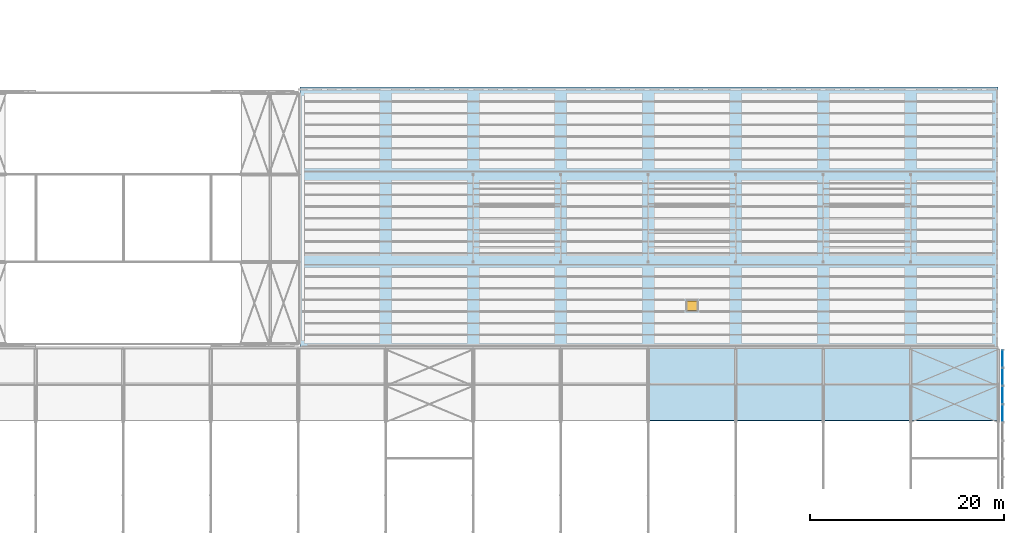
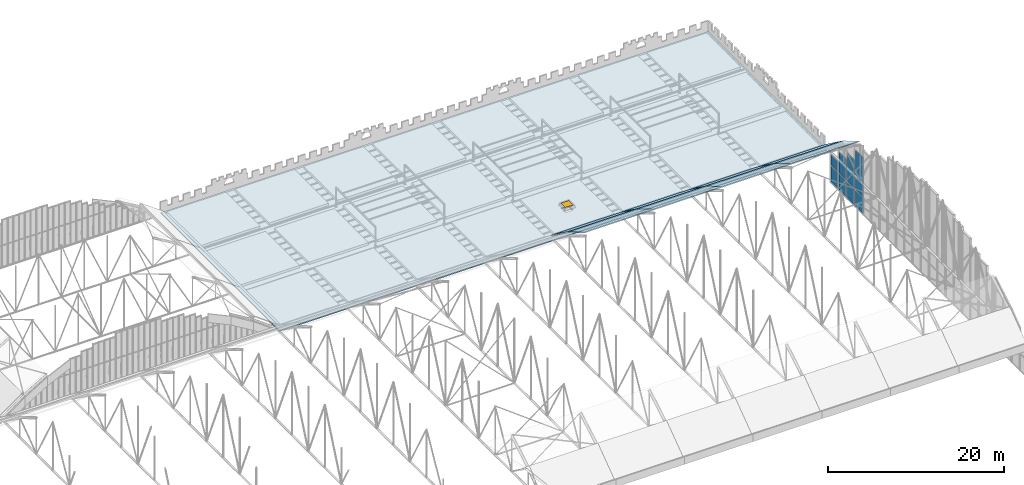
# One storey, part 101 of 153: 9 slabs, 8 plates, 1 window, 1 opening, 4 elements without a shape of their own.
"""IFC4 building model written with IfcOpenShell, lengths in metres."""

import ifcopenshell
import ifcopenshell.guid

model = None  # the IFC model being written
_history = None  # IfcOwnerHistory: only IFC2X3 demands one
_inside = {}  # id of a spatial element -> (the spatial element, [elements in it])
_under = {}  # id of a project, library or spatial element -> (it, [spatial elements below it])
_declared = {}  # id of a project -> (the project, [libraries it declares])
_typed = {}  # id of a type object -> (the type object, [elements of that type])
_made_of = {}  # id of a material, layer set ... -> (it, [elements and type objects made of it])


def new_model(schema):
    """Start an empty IFC model of exactly this schema.

    Asked for "IFC4X3", IfcOpenShell would pick the latest addendum, in which some entities
    have other attributes; the version numbers below select the first issue.
    IFC2X3 requires an IfcOwnerHistory on every rooted entity: one is made here for all.
    """
    global model, _history
    if schema == "IFC4X3":
        model = ifcopenshell.file(schema_version=(4, 3, 0, 0))
    else:
        model = ifcopenshell.file(schema=schema)
    _inside.clear()
    _under.clear()
    _declared.clear()
    _typed.clear()
    _made_of.clear()
    _history = None
    if model.schema == "IFC2X3":
        org = make("IfcOrganization", Name="unknown")
        user = make(
            "IfcPersonAndOrganization",
            ThePerson=make("IfcPerson", FamilyName="unknown"),
            TheOrganization=org,
        )
        app = make(
            "IfcApplication",
            ApplicationDeveloper=org,
            Version="unknown",
            ApplicationFullName="unknown",
            ApplicationIdentifier="unknown",
        )
        _history = make(
            "IfcOwnerHistory",
            OwningUser=user,
            OwningApplication=app,
            ChangeAction="ADDED",
            CreationDate=0,
        )
    return model


def make(cls, **values):
    """One entity of the class cls with the attributes given. An attribute that is None is left unset."""
    return model.create_entity(
        cls, **{name: value for name, value in values.items() if value is not None}
    )


def rooted(cls, **values):
    """An entity with a GlobalId (a new one), such as an element, a storey or a relation."""
    return make(cls, GlobalId=ifcopenshell.guid.new(), OwnerHistory=_history, **values)


def si_unit(unit_type, name, prefix=None):
    """IfcSIUnit, for example si_unit("LENGTHUNIT", "METRE", prefix="MILLI")."""
    return make("IfcSIUnit", UnitType=unit_type, Prefix=prefix, Name=name)


def assignment(units):
    """IfcUnitAssignment: the units of a project."""
    return None if units is None else make("IfcUnitAssignment", Units=units)


def point(xyz):
    """IfcCartesianPoint."""
    return None if xyz is None else make("IfcCartesianPoint", Coordinates=xyz)


def direction(xyz):
    """IfcDirection."""
    return None if xyz is None else make("IfcDirection", DirectionRatios=xyz)


def frame(location, z_axis=None, x_axis=None):
    """IfcAxis2Placement3D, a coordinate frame: its origin and axes. An axis left out is left unset."""
    return make(
        "IfcAxis2Placement3D",
        Location=point(location),
        Axis=direction(z_axis),
        RefDirection=direction(x_axis),
    )


def frame_2d(location, x_axis=None):
    """IfcAxis2Placement2D, a coordinate frame in the plane: its origin and x axis."""
    return make(
        "IfcAxis2Placement2D", Location=point(location), RefDirection=direction(x_axis)
    )


def origin():
    """The frame at (0, 0, 0) with its axes left unset."""
    return frame((0.0, 0.0, 0.0))


def origin_2d():
    """The frame at (0, 0) in the plane with its x axis left unset."""
    return frame_2d((0.0, 0.0))


def place(relative_to, where):
    """IfcLocalPlacement: puts the frame where relative to a parent placement (None: the world)."""
    return make(
        "IfcLocalPlacement", PlacementRelTo=relative_to, RelativePlacement=where
    )


def context(
    kind, dimensions, precision=None, world=None, true_north=None, identifier=None
):
    """IfcGeometricRepresentationContext, for example the 3D "Model" context."""
    return make(
        "IfcGeometricRepresentationContext",
        ContextIdentifier=identifier,
        ContextType=kind,
        CoordinateSpaceDimension=dimensions,
        Precision=precision,
        WorldCoordinateSystem=world,
        TrueNorth=true_north,
    )


def subcontext(parent, identifier, kind, view, scale=None):
    """IfcGeometricRepresentationSubContext, for example "Body" below "Model"."""
    return make(
        "IfcGeometricRepresentationSubContext",
        ContextIdentifier=identifier,
        ContextType=kind,
        ParentContext=parent,
        TargetScale=scale,
        TargetView=view,
    )


def project(units=None, contexts=None):
    """IfcProject with its units and contexts."""
    return rooted(
        "IfcProject",
        Name="project",
        RepresentationContexts=contexts,
        UnitsInContext=assignment(units),
    )


def spatial(cls, under=None, at=None, **own):
    """A site, building, storey or space (cls), placed at a placement, below another one or the project."""
    s = rooted(cls, ObjectPlacement=at, **own)
    if under is not None:
        _under.setdefault(under.id(), (under, []))[1].append(s)
    return s


def polyline(points):
    """IfcPolyline through the points."""
    return make("IfcPolyline", Points=[point(p) for p in points])


def profile(cls, at=None, kind="AREA", **sizes):
    """A parametric profile (cls). Its sizes go by their IFC names, for example OverallWidth=200.0."""
    return make(cls, ProfileType=kind, Position=at, **sizes)


def rectangle(**sizes):
    """IfcRectangleProfileDef."""
    return profile("IfcRectangleProfileDef", **sizes)


def outline(outer, holes=None, kind="AREA"):
    """IfcArbitraryClosedProfileDef: a profile drawn as a closed curve; with holes, ...WithVoids."""
    if holes is None:
        return make("IfcArbitraryClosedProfileDef", ProfileType=kind, OuterCurve=outer)
    return make(
        "IfcArbitraryProfileDefWithVoids",
        ProfileType=kind,
        OuterCurve=outer,
        InnerCurves=holes,
    )


def extrude(swept, where, along, depth):
    """IfcExtrudedAreaSolid: the profile swept, set in the frame where, extruded along a direction by depth."""
    return make(
        "IfcExtrudedAreaSolid",
        SweptArea=swept,
        Position=where,
        ExtrudedDirection=direction(along),
        Depth=depth,
    )


def shape(context_of_items, identifier, shape_type, items):
    """IfcShapeRepresentation: the items that make up one representation, for example the "Body"."""
    return make(
        "IfcShapeRepresentation",
        ContextOfItems=context_of_items,
        RepresentationIdentifier=identifier,
        RepresentationType=shape_type,
        Items=items,
    )


def material(Name=None, Category=None):
    """IfcMaterial."""
    return make("IfcMaterial", Name=Name, Category=Category)


def layer(
    of_material, thickness, ventilated=None, Name=None, Category=None, Priority=None
):
    """IfcMaterialLayer: one layer of a wall or slab, of a material (None: an air gap)."""
    return make(
        "IfcMaterialLayer",
        Material=of_material,
        LayerThickness=thickness,
        IsVentilated=ventilated,
        Name=Name,
        Category=Category,
        Priority=Priority,
    )


def layer_set(layers, Name=None):
    """IfcMaterialLayerSet."""
    return make("IfcMaterialLayerSet", MaterialLayers=layers, LayerSetName=Name)


def made_of(thing, what):
    """Note that an element or type object is made of a material, layer set ...; save() writes the relation."""
    if what is not None:
        _made_of.setdefault(what.id(), (what, []))[1].append(thing)
    return thing


def type_object(cls, material=None, **own):
    """A type object (cls), such as IfcWallType, which elements share."""
    return made_of(rooted(cls, **own), material)


def element(
    cls,
    number,
    at=None,
    inside=None,
    cuts=None,
    type_object=None,
    material=None,
    context=None,
    identifier="Body",
    shape_type=None,
    held_by="IfcProductDefinitionShape",
    body=None,
    shapes=None,
    **own,
):
    """One element of the class cls, such as IfcWall. Its Tag is "e" and its number.

    at: its placement. inside: the storey or other place that contains it. cuts: it is an
    opening in that element (IfcRelVoidsElement). A single representation is given by context,
    identifier, shape_type and body (its items); several are given by shapes. held_by: the class
    of the entity that holds the representations. save() writes the other relations.
    """
    e = rooted(cls, Tag="e%d" % number, ObjectPlacement=at, **own)
    if body is not None:
        shapes = [shape(context, identifier, shape_type, body)]
    if shapes is not None:
        e.Representation = make(held_by, Representations=shapes)
    if inside is not None:
        _inside.setdefault(inside.id(), (inside, []))[1].append(e)
    if cuts is not None:
        rooted(
            "IfcRelVoidsElement", RelatingBuildingElement=cuts, RelatedOpeningElement=e
        )
    if type_object is not None:
        _typed.setdefault(type_object.id(), (type_object, []))[1].append(e)
    return made_of(e, material)


def fill(opening, filler):
    """IfcRelFillsElement: the door or window that sits in an opening."""
    return rooted(
        "IfcRelFillsElement",
        RelatingOpeningElement=opening,
        RelatedBuildingElement=filler,
    )


def aggregate(whole, parts):
    """IfcRelAggregates: a whole, such as a stair, and the parts it consists of."""
    return rooted("IfcRelAggregates", RelatingObject=whole, RelatedObjects=parts)


def save(model, path):
    """Write the relations noted so far, then the file.

    IfcRelAggregates (storeys below a building ...), IfcRelContainedInSpatialStructure (elements
    in a storey), IfcRelDefinesByType, IfcRelAssociatesMaterial and IfcRelDeclares: one each for
    every whole, place, type object, material and project.
    """
    for whole, parts in _under.values():
        aggregate(whole, parts)
    for where, things in _inside.values():
        rooted(
            "IfcRelContainedInSpatialStructure",
            RelatedElements=things,
            RelatingStructure=where,
        )
    for kind, things in _typed.values():
        rooted("IfcRelDefinesByType", RelatedObjects=things, RelatingType=kind)
    for what, things in _made_of.values():
        rooted("IfcRelAssociatesMaterial", RelatedObjects=things, RelatingMaterial=what)
    for by, libraries in _declared.values():
        rooted("IfcRelDeclares", RelatingContext=by, RelatedDefinitions=libraries)
    model.write(path)


model = new_model("IFC4")

# Units and contexts
model_context = context("Model", 3, precision=1e-05, world=origin(), true_north=direction((0.0, 1.0)))
body_context = subcontext(model_context, "Body", "Model", "MODEL_VIEW")
ifc_project = project(units=[si_unit("LENGTHUNIT", "METRE"), si_unit("AREAUNIT", "SQUARE_METRE"), si_unit("VOLUMEUNIT", "CUBIC_METRE"), si_unit("PLANEANGLEUNIT", "RADIAN"), si_unit("MASSUNIT", "GRAM", prefix="KILO")], contexts=[model_context])

# Site, building, storey
site_placement = place(None, origin())
site = spatial("IfcSite", under=ifc_project, at=site_placement, CompositionType="ELEMENT")
building_placement = place(site_placement, origin())
building = spatial("IfcBuilding", under=site, at=building_placement, Name="Baradari Gate Terminus", CompositionType="ELEMENT")
storey_placement = place(building_placement, frame((0.0, 0.0, 11.699951171875)))
storey = spatial("IfcBuildingStorey", under=building, at=storey_placement, Name="L02", CompositionType="ELEMENT", Elevation=11.699951171875)

# Slab, opening, window
ifc_material_1 = material(Name="Concrete C35/45", Category="concrete")
ifc_layer_1 = layer(ifc_material_1, 0.14990234375)
ifc_layer_set_1 = layer_set([ifc_layer_1], Name="Concrete C35/45")
slab_type_1 = type_object("IfcSlabType", Name="Composite roof slab SL2 150", PredefinedType="ROOF", material=ifc_layer_set_1)
slab_1_placement = place(storey_placement, frame((0.0, 0.0, -0.14990234375)))
slab_1 = element("IfcSlab", 1, at=slab_1_placement, inside=storey, type_object=slab_type_1, Name="Head-house east roof", PredefinedType="ROOF", context=body_context, shape_type="SweptSolid", body=[
    extrude(outline(polyline([(171.199951171875, 81.0), (243.0, 81.0), (243.0, 108.0), (171.199951171875, 108.0), (171.199951171875, 81.0)])), origin(), (0.0, 0.0, 1.0), 0.14990234375),
])
opening_placement = place(slab_1_placement, frame((211.5, 85.5, 0.0)))
opening = element("IfcOpeningElement", 2, at=opening_placement, cuts=slab_1, Name="Opening RH1", PredefinedType="OPENING", context=body_context, shape_type="SweptSolid", body=[
    extrude(rectangle(XDim=1.0, YDim=1.0, at=origin_2d()), frame((0.0, 0.0, -0.010009765625)), (0.0, 0.0, 1.0), 0.869873046875),
])
ifc_material_2 = material(Name="Aluminium", Category="aluminium")
window_type = type_object("IfcWindowType", Name="Roof access hatch", PartitioningType="SINGLE_PANEL", PredefinedType="SKYLIGHT", material=ifc_material_2)
window_placement = place(opening_placement, frame((0.0, 0.0, 0.7998046875)))
window = element("IfcWindow", 3, at=window_placement, inside=storey, type_object=window_type, Name="RF/L02/RH2", OverallHeight=1.0, OverallWidth=1.0, PartitioningType="SINGLE_PANEL", PredefinedType="SKYLIGHT", context=body_context, shape_type="SweptSolid", body=[
    extrude(rectangle(XDim=1.0, YDim=1.0, at=origin_2d()), origin(), (0.0, 0.0, 1.0), 0.050048828125),
])
fill(opening, window)

# Curtain wall, plates
ifc_material_3 = material(Name="Aluminium 6063-T6", Category="aluminium")
curtain_wall_type_1 = type_object("IfcCurtainWallType", Name="Curtain wall CW-14 gable screen, other height", PredefinedType="NOTDEFINED", material=ifc_material_3)
curtain_wall_1_placement = place(storey_placement, origin())
curtain_wall_1 = element("IfcCurtainWall", 4, at=curtain_wall_1_placement, inside=storey, type_object=curtain_wall_type_1, Name="Gable glazing curtain wall CW-14 cell 12b", PredefinedType="NOTDEFINED")
ifc_material_4 = material(Name="Insulating glass unit", Category="glass")
ifc_layer_2 = layer(ifc_material_4, 0.0400390625)
ifc_layer_set_2 = layer_set([ifc_layer_2], Name="Insulating glass unit")
plate_type_1 = type_object("IfcPlateType", Name="Curtain wall glazing unit CP-14 40", PredefinedType="CURTAIN_PANEL", material=ifc_layer_set_2)
plate_1_placement = place(storey_placement, frame((243.449951171875, 80.0625, -4.60009765625), z_axis=(0.0, 0.0, 1.0), x_axis=(0.0, 1.0, 0.0)))
plate_1 = element("IfcPlate", 5, at=plate_1_placement, type_object=plate_type_1, Name="CW-14 panel 1.1", PredefinedType="CURTAIN_PANEL", context=body_context, shape_type="SweptSolid", body=[
    extrude(rectangle(XDim=1.675048828125, YDim=0.0400390625, at=origin_2d()), origin(), (0.0, 0.0, 1.0), 2.268310546875),
])
plate_2_placement = place(storey_placement, frame((243.449951171875, 80.0625, -2.231689453125), z_axis=(0.0, 0.0, 1.0), x_axis=(0.0, 1.0, 0.0)))
plate_2 = element("IfcPlate", 6, at=plate_2_placement, type_object=plate_type_1, Name="CW-14 panel 1.2", PredefinedType="CURTAIN_PANEL", context=body_context, shape_type="SweptSolid", body=[
    extrude(rectangle(XDim=1.675048828125, YDim=0.0400390625, at=origin_2d()), origin(), (0.0, 0.0, 1.0), 1.431640625),
])
aggregate(curtain_wall_1, [plate_1, plate_2])

ifc_material_5 = material(Name="Aluminium 6063-T6", Category="aluminium")
curtain_wall_type_2 = type_object("IfcCurtainWallType", Name="Curtain wall CW-15 gable screen, other height", PredefinedType="NOTDEFINED", material=ifc_material_5)
curtain_wall_2_placement = place(storey_placement, origin())
curtain_wall_2 = element("IfcCurtainWall", 7, at=curtain_wall_2_placement, inside=storey, type_object=curtain_wall_type_2, Name="Gable glazing curtain wall CW-15 cell 12a", PredefinedType="NOTDEFINED")
ifc_material_6 = material(Name="Insulating glass unit", Category="glass")
ifc_layer_3 = layer(ifc_material_6, 0.0400390625)
ifc_layer_set_3 = layer_set([ifc_layer_3], Name="Insulating glass unit")
plate_type_2 = type_object("IfcPlateType", Name="Curtain wall glazing unit CP-15 40", PredefinedType="CURTAIN_PANEL", material=ifc_layer_set_3)
plate_3_placement = place(storey_placement, frame((243.449951171875, 78.1875, -4.60009765625), z_axis=(0.0, 0.0, 1.0), x_axis=(0.0, 1.0, 0.0)))
plate_3 = element("IfcPlate", 8, at=plate_3_placement, type_object=plate_type_2, Name="CW-15 panel 1.1", PredefinedType="CURTAIN_PANEL", context=body_context, shape_type="SweptSolid", body=[
    extrude(rectangle(XDim=1.675048828125, YDim=0.0400390625, at=origin_2d()), origin(), (0.0, 0.0, 1.0), 2.268310546875),
])
plate_4_placement = place(storey_placement, frame((243.449951171875, 78.1875, -2.231689453125), z_axis=(0.0, 0.0, 1.0), x_axis=(0.0, 1.0, 0.0)))
plate_4 = element("IfcPlate", 9, at=plate_4_placement, type_object=plate_type_2, Name="CW-15 panel 1.2", PredefinedType="CURTAIN_PANEL", context=body_context, shape_type="SweptSolid", body=[
    extrude(rectangle(XDim=1.675048828125, YDim=0.0400390625, at=origin_2d()), origin(), (0.0, 0.0, 1.0), 2.931640625),
])
aggregate(curtain_wall_2, [plate_3, plate_4])

ifc_material_7 = material(Name="Aluminium 6063-T6", Category="aluminium")
curtain_wall_type_3 = type_object("IfcCurtainWallType", Name="Curtain wall CW-16 gable screen, other height", PredefinedType="NOTDEFINED", material=ifc_material_7)
curtain_wall_3_placement = place(storey_placement, origin())
curtain_wall_3 = element("IfcCurtainWall", 10, at=curtain_wall_3_placement, inside=storey, type_object=curtain_wall_type_3, Name="Gable glazing curtain wall CW-16 cell 11b", PredefinedType="NOTDEFINED")
ifc_material_8 = material(Name="Insulating glass unit", Category="glass")
ifc_layer_4 = layer(ifc_material_8, 0.0400390625)
ifc_layer_set_4 = layer_set([ifc_layer_4], Name="Insulating glass unit")
plate_type_3 = type_object("IfcPlateType", Name="Curtain wall glazing unit CP-16 40", PredefinedType="CURTAIN_PANEL", material=ifc_layer_set_4)
plate_5_placement = place(storey_placement, frame((243.449951171875, 76.3125, -4.60009765625), z_axis=(0.0, 0.0, 1.0), x_axis=(0.0, 1.0, 0.0)))
plate_5 = element("IfcPlate", 11, at=plate_5_placement, type_object=plate_type_3, Name="CW-16 panel 1.1", PredefinedType="CURTAIN_PANEL", context=body_context, shape_type="SweptSolid", body=[
    extrude(rectangle(XDim=1.675048828125, YDim=0.0400390625, at=origin_2d()), origin(), (0.0, 0.0, 1.0), 2.268310546875),
])
plate_6_placement = place(storey_placement, frame((243.449951171875, 76.3125, -2.231689453125), z_axis=(0.0, 0.0, 1.0), x_axis=(0.0, 1.0, 0.0)))
plate_6 = element("IfcPlate", 12, at=plate_6_placement, type_object=plate_type_3, Name="CW-16 panel 1.2", PredefinedType="CURTAIN_PANEL", context=body_context, shape_type="SweptSolid", body=[
    extrude(rectangle(XDim=1.675048828125, YDim=0.0400390625, at=origin_2d()), origin(), (0.0, 0.0, 1.0), 3.931640625),
])
aggregate(curtain_wall_3, [plate_5, plate_6])

ifc_material_9 = material(Name="Aluminium 6063-T6", Category="aluminium")
curtain_wall_type_4 = type_object("IfcCurtainWallType", Name="Curtain wall CW-17 gable screen, other height", PredefinedType="NOTDEFINED", material=ifc_material_9)
curtain_wall_4_placement = place(storey_placement, origin())
curtain_wall_4 = element("IfcCurtainWall", 13, at=curtain_wall_4_placement, inside=storey, type_object=curtain_wall_type_4, Name="Gable glazing curtain wall CW-17 cell 11a", PredefinedType="NOTDEFINED")
ifc_material_10 = material(Name="Insulating glass unit", Category="glass")
ifc_layer_5 = layer(ifc_material_10, 0.0400390625)
ifc_layer_set_5 = layer_set([ifc_layer_5], Name="Insulating glass unit")
plate_type_4 = type_object("IfcPlateType", Name="Curtain wall glazing unit CP-17 40", PredefinedType="CURTAIN_PANEL", material=ifc_layer_set_5)
plate_7_placement = place(storey_placement, frame((243.449951171875, 74.4375, -4.60009765625), z_axis=(0.0, 0.0, 1.0), x_axis=(0.0, 1.0, 0.0)))
plate_7 = element("IfcPlate", 14, at=plate_7_placement, type_object=plate_type_4, Name="CW-17 panel 1.1", PredefinedType="CURTAIN_PANEL", context=body_context, shape_type="SweptSolid", body=[
    extrude(rectangle(XDim=1.675048828125, YDim=0.0400390625, at=origin_2d()), origin(), (0.0, 0.0, 1.0), 2.268310546875),
])
ifc_material_11 = material(Name="Back-painted glass", Category="glass")
ifc_layer_6 = layer(ifc_material_11, 0.080078125)
ifc_layer_set_6 = layer_set([ifc_layer_6], Name="Back-painted glass")
plate_type_5 = type_object("IfcPlateType", Name="Curtain wall spandrel panel CP-S17 80", PredefinedType="CURTAIN_PANEL", material=ifc_layer_set_6)
plate_8_placement = place(storey_placement, frame((243.449951171875, 74.4375, -2.231689453125), z_axis=(0.0, 0.0, 1.0), x_axis=(0.0, 1.0, 0.0)))
plate_8 = element("IfcPlate", 15, at=plate_8_placement, type_object=plate_type_5, Name="CW-17 spandrel panel 1.2", PredefinedType="CURTAIN_PANEL", context=body_context, shape_type="SweptSolid", body=[
    extrude(rectangle(XDim=1.675048828125, YDim=0.080078125, at=origin_2d()), origin(), (0.0, 0.0, 1.0), 5.431640625),
])
aggregate(curtain_wall_4, [plate_7, plate_8])

# Slabs
ifc_material_12 = material(Name="Aluminium", Category="aluminium")
ifc_layer_7 = layer(ifc_material_12, 0.1201171875)
ifc_layer_set_7 = layer_set([ifc_layer_7], Name="Aluminium")
slab_type_2 = type_object("IfcSlabType", Name="Shed roof panel", PredefinedType="ROOF", material=ifc_layer_set_7)
slab_2_placement = place(storey_placement, frame((207.0, 73.680908203125, 5.590576171875), z_axis=(0.0, 0.513297855318, 0.85821052879), x_axis=(1.0, 0.0, 0.0)))
element("IfcSlab", 16, at=slab_2_placement, inside=storey, type_object=slab_type_2, Name="RF/L02/B216-RP10", PredefinedType="ROOF", context=body_context, shape_type="SweptSolid", body=[
    extrude(outline(polyline([(0.0, 0.0), (9.0, 0.0), (9.0, 4.407677040601449), (0.0, 4.407677040601449), (0.0, 0.0)])), origin(), (0.0, 0.0, -1.0), 0.1201171875),
])
slab_3_placement = place(storey_placement, frame((207.0, 77.463623046875, 3.328125), z_axis=(0.0, 0.590775958062, 0.806835650784), x_axis=(1.0, 0.0, 0.0)))
element("IfcSlab", 17, at=slab_3_placement, inside=storey, type_object=slab_type_2, Name="RF/L02/B216-RP11", PredefinedType="ROOF", context=body_context, shape_type="SweptSolid", body=[
    extrude(outline(polyline([(0.0, 0.0), (9.0, 0.0), (9.0, 4.665639518056), (0.0, 4.665639518056), (0.0, 0.0)])), origin(), (0.0, 0.0, -1.0), 0.1201171875),
])
slab_4_placement = place(storey_placement, frame((216.0, 73.680908203125, 5.590576171875), z_axis=(0.0, 0.513297855318, 0.85821052879), x_axis=(1.0, 0.0, 0.0)))
element("IfcSlab", 18, at=slab_4_placement, inside=storey, type_object=slab_type_2, Name="RF/L02/B225-RP10", PredefinedType="ROOF", context=body_context, shape_type="SweptSolid", body=[
    extrude(outline(polyline([(0.0, 0.0), (9.0, 0.0), (9.0, 4.407677040601449), (0.0, 4.407677040601449), (0.0, 0.0)])), origin(), (0.0, 0.0, -1.0), 0.1201171875),
])
slab_5_placement = place(storey_placement, frame((216.0, 77.463623046875, 3.328125), z_axis=(0.0, 0.590775958062, 0.806835650784), x_axis=(1.0, 0.0, 0.0)))
element("IfcSlab", 19, at=slab_5_placement, inside=storey, type_object=slab_type_2, Name="RF/L02/B225-RP11", PredefinedType="ROOF", context=body_context, shape_type="SweptSolid", body=[
    extrude(outline(polyline([(0.0, 0.0), (9.0, 0.0), (9.0, 4.665639518056), (0.0, 4.665639518056), (0.0, 0.0)])), origin(), (0.0, 0.0, -1.0), 0.1201171875),
])
slab_6_placement = place(storey_placement, frame((225.0, 73.680908203125, 5.590576171875), z_axis=(0.0, 0.513297855318, 0.85821052879), x_axis=(1.0, 0.0, 0.0)))
element("IfcSlab", 20, at=slab_6_placement, inside=storey, type_object=slab_type_2, Name="RF/L02/B234-RP10", PredefinedType="ROOF", context=body_context, shape_type="SweptSolid", body=[
    extrude(outline(polyline([(0.0, 0.0), (9.0, 0.0), (9.0, 4.407677040601449), (0.0, 4.407677040601449), (0.0, 0.0)])), origin(), (0.0, 0.0, -1.0), 0.1201171875),
])
slab_7_placement = place(storey_placement, frame((225.0, 77.463623046875, 3.328125), z_axis=(0.0, 0.590775958062, 0.806835650784), x_axis=(1.0, 0.0, 0.0)))
element("IfcSlab", 21, at=slab_7_placement, inside=storey, type_object=slab_type_2, Name="RF/L02/B234-RP11", PredefinedType="ROOF", context=body_context, shape_type="SweptSolid", body=[
    extrude(outline(polyline([(0.0, 0.0), (9.0, 0.0), (9.0, 4.665639518056), (0.0, 4.665639518056), (0.0, 0.0)])), origin(), (0.0, 0.0, -1.0), 0.1201171875),
])
slab_8_placement = place(storey_placement, frame((234.0, 73.680908203125, 5.590576171875), z_axis=(0.0, 0.513297855318, 0.85821052879), x_axis=(1.0, 0.0, 0.0)))
element("IfcSlab", 22, at=slab_8_placement, inside=storey, type_object=slab_type_2, Name="RF/L02/B243-RP10", PredefinedType="ROOF", context=body_context, shape_type="SweptSolid", body=[
    extrude(outline(polyline([(0.0, 0.0), (9.0, 0.0), (9.0, 4.407677040601449), (0.0, 4.407677040601449), (0.0, 0.0)])), origin(), (0.0, 0.0, -1.0), 0.1201171875),
])
slab_9_placement = place(storey_placement, frame((234.0, 77.463623046875, 3.328125), z_axis=(0.0, 0.590775958062, 0.806835650784), x_axis=(1.0, 0.0, 0.0)))
element("IfcSlab", 23, at=slab_9_placement, inside=storey, type_object=slab_type_2, Name="RF/L02/B243-RP11", PredefinedType="ROOF", context=body_context, shape_type="SweptSolid", body=[
    extrude(outline(polyline([(0.0, 0.0), (9.0, 0.0), (9.0, 4.665639518056), (0.0, 4.665639518056), (0.0, 0.0)])), origin(), (0.0, 0.0, -1.0), 0.1201171875),
])

save(model, "model.ifc")
